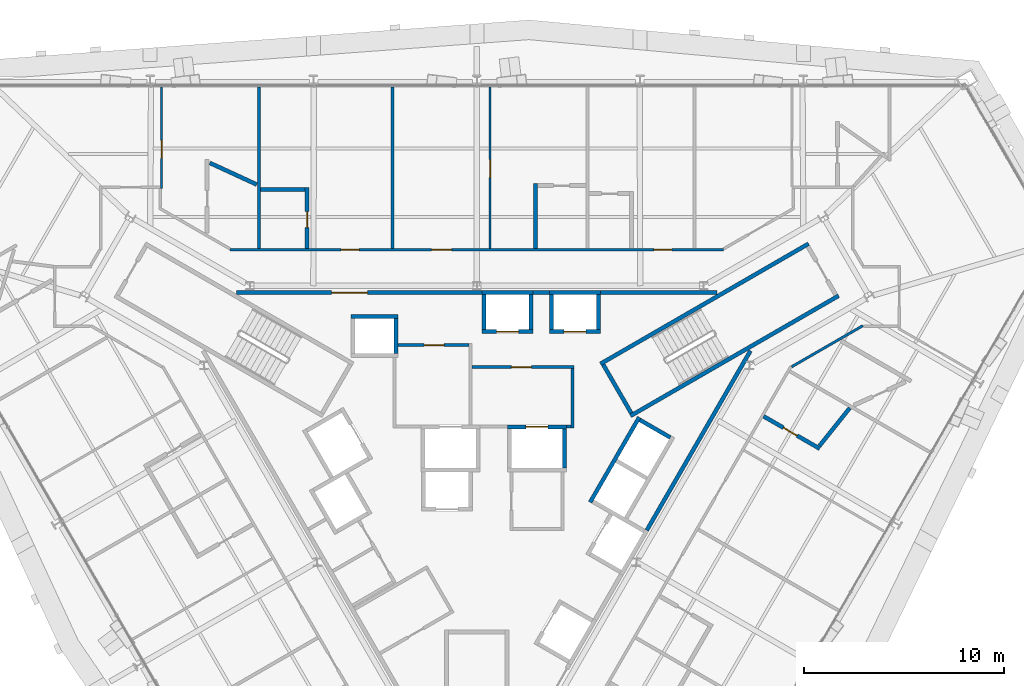
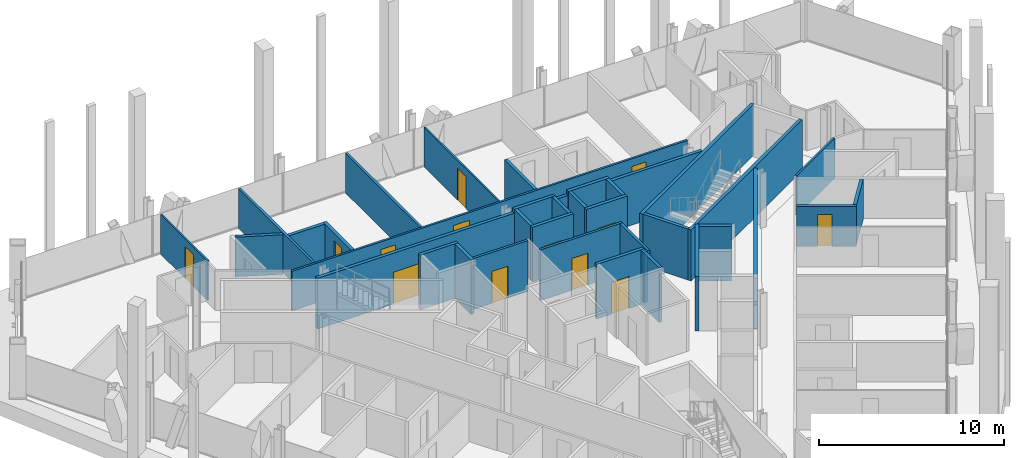
# One storey, part 16 of 19: 37 walls, 13 doors, 13 openings.
"""IFC4 building model written with IfcOpenShell, lengths in metres."""

from ifc_helpers import new_model, si_unit, direction, frame, frame_2d, origin, place, context, subcontext, project, spatial, rectangle, extrude, material, layer, layer_set, type_object, element, fill, save


model = new_model("IFC4")

# Units and contexts
model_context = context("Model", 3, precision=1e-05, world=origin(), true_north=direction((0.0, 1.0)))
body_context = subcontext(model_context, "Body", "Model", "MODEL_VIEW")
ifc_project = project(units=[si_unit("LENGTHUNIT", "METRE"), si_unit("AREAUNIT", "SQUARE_METRE"), si_unit("VOLUMEUNIT", "CUBIC_METRE"), si_unit("PLANEANGLEUNIT", "RADIAN"), si_unit("MASSUNIT", "GRAM", prefix="KILO")], contexts=[model_context])

# Site, building, storey
site_placement = place(None, origin())
site = spatial("IfcSite", under=ifc_project, at=site_placement, CompositionType="ELEMENT")
building_placement = place(site_placement, origin())
building = spatial("IfcBuilding", under=site, at=building_placement, Name="Verrane Prism Tower", CompositionType="ELEMENT")
storey_placement = place(building_placement, frame((0.0, 0.0, 121.60009765625)))
storey = spatial("IfcBuildingStorey", under=building, at=storey_placement, Name="L29", CompositionType="ELEMENT", Elevation=121.60009765625)

# Wall, opening, door
ifc_material_1 = material(Name="Gypsum board partition", Category="other")
ifc_layer_1 = layer(ifc_material_1, 0.199951171875)
ifc_layer_set_1 = layer_set([ifc_layer_1], Name="CW-200 core boundary wall 2 h")
wall_type_1 = type_object("IfcWallType", Name="CW-200 core boundary wall 2 h", PredefinedType="PARTITIONING", material=ifc_layer_set_1)
wall_1_placement = place(storey_placement, frame((0.262939453125, 8.860107421875, 0.0), z_axis=(0.0, 0.0, 1.0), x_axis=(-1.0, 0.0, 0.0)))
wall_1 = element("IfcWall", 1, at=wall_1_placement, inside=storey, type_object=wall_type_1, Name="Core boundary wall CW3-002", PredefinedType="PARTITIONING", context=body_context, shape_type="SweptSolid", body=[
    extrude(rectangle(XDim=12.25390625, YDim=0.199951171875, at=frame_2d((6.126953125, 0.0))), origin(), (0.0, 0.0, 1.0), 3.349853515625),
])
opening_1_placement = place(wall_1_placement, frame((5.708984375, 0.0, 0.0)))
opening_1 = element("IfcOpeningElement", 2, at=opening_1_placement, cuts=wall_1, Name="Opening D29511", PredefinedType="OPENING", context=body_context, shape_type="SweptSolid", body=[
    extrude(rectangle(XDim=1.800048828125, YDim=2.10009765625, at=frame_2d((0.89990234375, 1.050048828125))), frame((0.0, 0.10986328125, 0.0), z_axis=(0.0, -1.0, 0.0), x_axis=(1.0, 0.0, 0.0)), (0.0, 0.0, 1.0), 0.219970703125),
])
ifc_material_2 = material(Name="Timber veneered door leaf", Category="wood")
door_type_1 = type_object("IfcDoorType", Name="DR-1800x2100 FD60 double leaf lift lobby", OperationType="NOTDEFINED", PredefinedType="DOOR", material=ifc_material_2)
door_1_placement = place(opening_1_placement, origin())
door_1 = element("IfcDoor", 3, at=door_1_placement, inside=storey, type_object=door_type_1, Name="Lift lobby door D29511", OperationType="DOUBLE_DOOR_SINGLE_SWING", OverallHeight=2.10009765625, OverallWidth=1.800048828125, PredefinedType="DOOR", context=body_context, shape_type="SweptSolid", body=[
    extrude(rectangle(XDim=1.800048828125, YDim=2.10009765625, at=frame_2d((0.89990234375, 1.050048828125))), frame((0.0, 0.02490234375, 0.0), z_axis=(0.0, -1.0, 0.0), x_axis=(1.0, 0.0, 0.0)), (0.0, 0.0, 1.0), 0.050048828125),
])
fill(opening_1, door_1)

# Walls
wall_2_placement = place(storey_placement, frame((2.81689453125, 8.860107421875, 0.0), z_axis=(0.0, 0.0, 1.0), x_axis=(1.0, 0.0, 0.0)))
element("IfcWall", 4, at=wall_2_placement, inside=storey, type_object=wall_type_1, Name="Core boundary wall CW3-004", PredefinedType="PARTITIONING", context=body_context, shape_type="SweptSolid", body=[
    extrude(rectangle(XDim=0.80615234375, YDim=0.199951171875, at=frame_2d((0.403076171875, 0.0))), origin(), (0.0, 0.0, 1.0), 3.349853515625),
])
wall_3_placement = place(storey_placement, frame((6.177001953125, 8.860107421875, 0.0), z_axis=(0.0, 0.0, 1.0), x_axis=(1.0, 0.0, 0.0)))
element("IfcWall", 5, at=wall_3_placement, inside=storey, type_object=wall_type_1, Name="Core boundary wall CW3-006", PredefinedType="PARTITIONING", context=body_context, shape_type="SweptSolid", body=[
    extrude(rectangle(XDim=5.81396484375, YDim=0.199951171875, at=frame_2d((2.906982421875, 0.0))), origin(), (0.0, 0.0, 1.0), 3.349853515625),
])
wall_4_placement = place(storey_placement, frame((8.491943359375, -3.011962890625, 0.0), z_axis=(0.0, 0.0, 1.0), x_axis=(0.499972957231, 0.866041016371, 0.0)))
element("IfcWall", 6, at=wall_4_placement, inside=storey, type_object=wall_type_1, Name="Core boundary wall CW3-007", PredefinedType="PARTITIONING", context=body_context, shape_type="SweptSolid", body=[
    extrude(rectangle(XDim=10.3486328125, YDim=0.199951171875, at=frame_2d((5.17431640625, 0.0))), origin(), (0.0, 0.0, 1.0), 3.349853515625),
])
ifc_material_3 = material(Name="Concrete C40/50", Category="concrete")
ifc_layer_2 = layer(ifc_material_3, 0.199951171875)
ifc_layer_set_2 = layer_set([ifc_layer_2], Name="CW-200 stair core wall concrete C40/50 3 h")
wall_type_2 = type_object("IfcWallType", Name="CW-200 stair core wall concrete C40/50 3 h", PredefinedType="PARTITIONING", material=ifc_layer_set_2)
for number, where, z_axis, x_axis, name in (
    (7, (6.17822265625, 5.299072265625, 0.0), (0.0, 0.0, 1.0), (0.866026010844, 0.49999894854, 0.0), "Stair 1 enclosure wall"),
    (8, (7.67822265625, 2.700927734375, 0.0), (0.0, 0.0, 1.0), (0.866026010844, 0.49999894854, 0.0), "Stair 1 enclosure wall"),
):
    element("IfcWall", number, at=place(storey_placement, frame(where, z_axis=z_axis, x_axis=x_axis)), inside=storey, type_object=wall_type_2, Name=name, PredefinedType="PARTITIONING", context=body_context, shape_type="SweptSolid", body=[
        extrude(rectangle(XDim=12.0, YDim=0.199951171875, at=frame_2d((6.0, 0.0))), origin(), (0.0, 0.0, 1.0), 3.349853515625),
    ])
wall_5_placement = place(storey_placement, frame((7.71484375, 2.837646484375, 0.0), z_axis=(0.0, 0.0, 1.0), x_axis=(-0.500049511043, 0.865996816683, 0.0)))
element("IfcWall", 9, at=wall_5_placement, inside=storey, type_object=wall_type_2, Name="Stair 1 enclosure wall", PredefinedType="PARTITIONING", context=body_context, shape_type="SweptSolid", body=[
    extrude(rectangle(XDim=2.800048828125, YDim=0.199951171875, at=frame_2d((1.39990234375, 0.0))), origin(), (0.0, 0.0, 1.0), 3.349853515625),
])

# Wall, opening, door
ifc_material_4 = material(Name="Gypsum board shaft wall assembly", Category="other")
ifc_layer_3 = layer(ifc_material_4, 0.199951171875)
ifc_layer_set_3 = layer_set([ifc_layer_3], Name="HW-200 lift shaft wall 2 h")
wall_type_3 = type_object("IfcWallType", Name="HW-200 lift shaft wall 2 h", PredefinedType="PARTITIONING", material=ifc_layer_set_3)
wall_6_placement = place(storey_placement, frame((1.52490234375, 2.14990234375, 0.0), z_axis=(0.0, 0.0, 1.0), x_axis=(1.0, 0.0, 0.0)))
wall_6 = element("IfcWall", 10, at=wall_6_placement, inside=storey, type_object=wall_type_3, Name="Lift shaft wall", PredefinedType="PARTITIONING", context=body_context, shape_type="SweptSolid", body=[
    extrude(rectangle(XDim=2.9501953125, YDim=0.199951171875, at=frame_2d((1.47509765625, 0.0))), origin(), (0.0, 0.0, 1.0), 3.599853515625),
])
opening_2_placement = place(wall_6_placement, frame((0.925048828125, 0.0, 0.0)))
opening_2 = element("IfcOpeningElement", 11, at=opening_2_placement, cuts=wall_6, Name="Opening D29509", PredefinedType="OPENING", context=body_context, shape_type="SweptSolid", body=[
    extrude(rectangle(XDim=1.10009765625, YDim=2.10009765625, at=frame_2d((0.550048828125, 1.050048828125))), frame((0.0, 0.10986328125, 0.0), z_axis=(0.0, -1.0, 0.0), x_axis=(1.0, 0.0, 0.0)), (0.0, 0.0, 1.0), 0.219970703125),
])
ifc_material_5 = material(Name="Stainless steel sliding landing door", Category="steel")
door_type_2 = type_object("IfcDoorType", Name="LD-1100x2100 lift landing door FD90 sliding", OperationType="NOTDEFINED", PredefinedType="DOOR", material=ifc_material_5)
door_2_placement = place(opening_2_placement, origin())
door_2 = element("IfcDoor", 12, at=door_2_placement, inside=storey, type_object=door_type_2, Name="Fire service lift 2 landing door", OperationType="SLIDING_TO_RIGHT", OverallHeight=2.10009765625, OverallWidth=1.10009765625, PredefinedType="DOOR", context=body_context, shape_type="SweptSolid", body=[
    extrude(rectangle(XDim=1.10009765625, YDim=2.10009765625, at=frame_2d((0.550048828125, 1.050048828125))), frame((0.0, 0.02490234375, 0.0), z_axis=(0.0, -1.0, 0.0), x_axis=(1.0, 0.0, 0.0)), (0.0, 0.0, 1.0), 0.050048828125),
])
fill(opening_2, door_2)

wall_7_placement = place(storey_placement, frame((0.264892578125, 6.909912109375, 0.0), z_axis=(0.0, 0.0, 1.0), x_axis=(1.0, 0.0, 0.0)))
wall_7 = element("IfcWall", 13, at=wall_7_placement, inside=storey, type_object=wall_type_3, Name="Lift shaft wall", PredefinedType="PARTITIONING", context=body_context, shape_type="SweptSolid", body=[
    extrude(rectangle(XDim=2.550048828125, YDim=0.199951171875, at=frame_2d((1.27490234375, 0.0))), origin(), (0.0, 0.0, 1.0), 3.599853515625),
])
opening_3_placement = place(wall_7_placement, frame((0.72509765625, 0.0, 0.0)))
opening_3 = element("IfcOpeningElement", 14, at=opening_3_placement, cuts=wall_7, Name="Opening D29503", PredefinedType="OPENING", context=body_context, shape_type="SweptSolid", body=[
    extrude(rectangle(XDim=1.10009765625, YDim=2.10009765625, at=frame_2d((0.550048828125, 1.050048828125))), frame((0.0, 0.10986328125, 0.0), z_axis=(0.0, -1.0, 0.0), x_axis=(1.0, 0.0, 0.0)), (0.0, 0.0, 1.0), 0.219970703125),
])
door_3_placement = place(opening_3_placement, origin())
door_3 = element("IfcDoor", 15, at=door_3_placement, inside=storey, type_object=door_type_2, Name="Bank A lift 1 landing door", OperationType="SLIDING_TO_LEFT", OverallHeight=2.10009765625, OverallWidth=1.10009765625, PredefinedType="DOOR", context=body_context, shape_type="SweptSolid", body=[
    extrude(rectangle(XDim=1.10009765625, YDim=2.10009765625, at=frame_2d((0.550048828125, 1.050048828125))), frame((0.0, 0.02490234375, 0.0), z_axis=(0.0, -1.0, 0.0), x_axis=(1.0, 0.0, 0.0)), (0.0, 0.0, 1.0), 0.050048828125),
])
fill(opening_3, door_3)

wall_8_placement = place(storey_placement, frame((3.625, 6.909912109375, 0.0), z_axis=(0.0, 0.0, 1.0), x_axis=(1.0, 0.0, 0.0)))
wall_8 = element("IfcWall", 16, at=wall_8_placement, inside=storey, type_object=wall_type_3, Name="Lift shaft wall", PredefinedType="PARTITIONING", context=body_context, shape_type="SweptSolid", body=[
    extrude(rectangle(XDim=2.550048828125, YDim=0.199951171875, at=frame_2d((1.27490234375, 0.0))), origin(), (0.0, 0.0, 1.0), 3.599853515625),
])
opening_4_placement = place(wall_8_placement, frame((0.72509765625, 0.0, 0.0)))
opening_4 = element("IfcOpeningElement", 17, at=opening_4_placement, cuts=wall_8, Name="Opening D29505", PredefinedType="OPENING", context=body_context, shape_type="SweptSolid", body=[
    extrude(rectangle(XDim=1.10009765625, YDim=2.10009765625, at=frame_2d((0.550048828125, 1.050048828125))), frame((0.0, 0.10986328125, 0.0), z_axis=(0.0, -1.0, 0.0), x_axis=(1.0, 0.0, 0.0)), (0.0, 0.0, 1.0), 0.219970703125),
])
door_4_placement = place(opening_4_placement, origin())
door_4 = element("IfcDoor", 18, at=door_4_placement, inside=storey, type_object=door_type_2, Name="Bank A lift 3 landing door", OperationType="SLIDING_TO_LEFT", OverallHeight=2.10009765625, OverallWidth=1.10009765625, PredefinedType="DOOR", context=body_context, shape_type="SweptSolid", body=[
    extrude(rectangle(XDim=1.10009765625, YDim=2.10009765625, at=frame_2d((0.550048828125, 1.050048828125))), frame((0.0, 0.02490234375, 0.0), z_axis=(0.0, -1.0, 0.0), x_axis=(1.0, 0.0, 0.0)), (0.0, 0.0, 1.0), 0.050048828125),
])
fill(opening_4, door_4)

# Walls
wall_9_placement = place(storey_placement, frame((-6.284912109375, 7.659912109375, 0.0), z_axis=(0.0, 0.0, 1.0), x_axis=(1.0, 0.0, 0.0)))
element("IfcWall", 19, at=wall_9_placement, inside=storey, type_object=wall_type_3, Name="Lift shaft wall", PredefinedType="PARTITIONING", context=body_context, shape_type="SweptSolid", body=[
    extrude(rectangle(XDim=2.349853515625, YDim=0.199951171875, at=frame_2d((1.1748046875, 0.0))), origin(), (0.0, 0.0, 1.0), 3.599853515625),
])
for number, where, z_axis, x_axis, name in (
    (20, (0.264892578125, 8.860107421875, 0.0), (0.0, 0.0, 1.0), (1.0, 0.0, 0.0), "Lift shaft wall"),
    (21, (3.625, 8.860107421875, 0.0), (0.0, 0.0, 1.0), (1.0, 0.0, 0.0), "Lift shaft wall"),
):
    element("IfcWall", number, at=place(storey_placement, frame(where, z_axis=z_axis, x_axis=x_axis)), inside=storey, type_object=wall_type_3, Name=name, PredefinedType="PARTITIONING", context=body_context, shape_type="SweptSolid", body=[
        extrude(rectangle(XDim=2.550048828125, YDim=0.199951171875, at=frame_2d((1.27490234375, 0.0))), origin(), (0.0, 0.0, 1.0), 3.599853515625),
    ])
wall_10_placement = place(storey_placement, frame((5.66259765625, -1.6123046875, 0.0), z_axis=(0.0, 0.0, 1.0), x_axis=(0.49998122708, 0.866036242063, 0.0)))
element("IfcWall", 22, at=wall_10_placement, inside=storey, type_object=wall_type_3, Name="Lift shaft wall", PredefinedType="PARTITIONING", context=body_context, shape_type="SweptSolid", body=[
    extrude(rectangle(XDim=4.900146484375, YDim=0.199951171875, at=frame_2d((2.4501953125, 0.0))), origin(), (0.0, 0.0, 1.0), 3.599853515625),
])
wall_11_placement = place(storey_placement, frame((6.074951171875, 7.010009765625, 0.0), z_axis=(0.0, 0.0, 1.0), x_axis=(0.0, 1.0, 0.0)))
element("IfcWall", 23, at=wall_11_placement, inside=storey, type_object=wall_type_3, Name="Lift shaft wall", PredefinedType="PARTITIONING", context=body_context, shape_type="SweptSolid", body=[
    extrude(rectangle(XDim=1.75, YDim=0.199951171875, at=frame_2d((0.875, 0.0))), origin(), (0.0, 0.0, 1.0), 3.599853515625),
])
wall_12_placement = place(storey_placement, frame((4.375, 0.10009765625, 0.0), z_axis=(0.0, 0.0, 1.0), x_axis=(0.0, 1.0, 0.0)))
element("IfcWall", 24, at=wall_12_placement, inside=storey, type_object=wall_type_3, Name="Lift shaft wall", PredefinedType="PARTITIONING", context=body_context, shape_type="SweptSolid", body=[
    extrude(rectangle(XDim=1.949951171875, YDim=0.199951171875, at=frame_2d((0.97509765625, 0.0))), origin(), (0.0, 0.0, 1.0), 3.599853515625),
])
for number, where, z_axis, x_axis, name in (
    (25, (3.72509765625, 7.010009765625, 0.0), (0.0, 0.0, 1.0), (0.0, 1.0, 0.0), "Lift shaft wall"),
    (26, (2.715087890625, 7.010009765625, 0.0), (0.0, 0.0, 1.0), (0.0, 1.0, 0.0), "Lift shaft wall"),
    (27, (0.364990234375, 7.010009765625, 0.0), (0.0, 0.0, 1.0), (0.0, 1.0, 0.0), "Lift shaft wall"),
    (28, (-4.034912109375, 5.81005859375, 0.0), (0.0, 0.0, 1.0), (0.0, 1.0, 0.0), "Lift shaft wall"),
):
    element("IfcWall", number, at=place(storey_placement, frame(where, z_axis=z_axis, x_axis=x_axis)), inside=storey, type_object=wall_type_3, Name=name, PredefinedType="PARTITIONING", context=body_context, shape_type="SweptSolid", body=[
        extrude(rectangle(XDim=1.75, YDim=0.199951171875, at=frame_2d((0.875, 0.0))), origin(), (0.0, 0.0, 1.0), 3.599853515625),
    ])
wall_13_placement = place(storey_placement, frame((9.66455078125, 1.61962890625, 0.0), z_axis=(0.0, 0.0, 1.0), x_axis=(-0.866002029911, 0.500040482552, 0.0)))
element("IfcWall", 29, at=wall_13_placement, inside=storey, type_object=wall_type_3, Name="Lift shaft wall", PredefinedType="PARTITIONING", context=body_context, shape_type="SweptSolid", body=[
    extrude(rectangle(XDim=1.749755859375, YDim=0.199951171875, at=frame_2d((0.875, 0.0))), origin(), (0.0, 0.0, 1.0), 3.599853515625),
])

# Wall, opening, door
ifc_material_6 = material(Name="Gypsum board partition", Category="other")
ifc_layer_4 = layer(ifc_material_6, 0.14990234375)
ifc_layer_set_4 = layer_set([ifc_layer_4], Name="LF-150 firefighting lobby wall 1 h")
wall_type_4 = type_object("IfcWallType", Name="LF-150 firefighting lobby wall 1 h", PredefinedType="PARTITIONING", material=ifc_layer_set_4)
wall_14_placement = place(storey_placement, frame((-3.93310546875, 6.239990234375, 0.0), z_axis=(0.0, 0.0, 1.0), x_axis=(1.0, 0.0, 0.0)))
wall_14 = element("IfcWall", 30, at=wall_14_placement, inside=storey, type_object=wall_type_4, Name="Firefighting lobby wall LF1-003", PredefinedType="PARTITIONING", context=body_context, shape_type="SweptSolid", body=[
    extrude(rectangle(XDim=3.5380859375, YDim=0.14990234375, at=frame_2d((1.76904296875, 0.0))), origin(), (0.0, 0.0, 1.0), 3.349853515625),
])
opening_5_placement = place(wall_14_placement, frame((1.300048828125, 0.0, 0.0)))
opening_5 = element("IfcOpeningElement", 31, at=opening_5_placement, cuts=wall_14, Name="Opening D29515", PredefinedType="OPENING", context=body_context, shape_type="SweptSolid", body=[
    extrude(rectangle(XDim=1.0, YDim=2.10009765625, at=frame_2d((0.5, 1.050048828125))), frame((0.0, 0.0849609375, 0.0), z_axis=(0.0, -1.0, 0.0), x_axis=(1.0, 0.0, 0.0)), (0.0, 0.0, 1.0), 0.169921875),
])
ifc_material_7 = material(Name="Timber veneered door leaf", Category="wood")
door_type_3 = type_object("IfcDoorType", Name="DR-1000x2100 FD60 single leaf firefighting lobby", OperationType="NOTDEFINED", PredefinedType="DOOR", material=ifc_material_7)
door_5_placement = place(opening_5_placement, origin())
door_5 = element("IfcDoor", 32, at=door_5_placement, inside=storey, type_object=door_type_3, Name="Firefighting lobby door D29515", OperationType="SINGLE_SWING_LEFT", OverallHeight=2.10009765625, OverallWidth=1.0, PredefinedType="DOOR", context=body_context, shape_type="SweptSolid", body=[
    extrude(rectangle(XDim=1.0, YDim=2.10009765625, at=frame_2d((0.5, 1.050048828125))), frame((0.0, 0.02490234375, 0.0), z_axis=(0.0, -1.0, 0.0), x_axis=(1.0, 0.0, 0.0)), (0.0, 0.0, 1.0), 0.050048828125),
])
fill(opening_5, door_5)

wall_15_placement = place(storey_placement, frame((-0.2451171875, 5.139892578125, 0.0), z_axis=(0.0, 0.0, 1.0), x_axis=(1.0, 0.0, 0.0)))
wall_15 = element("IfcWall", 33, at=wall_15_placement, inside=storey, type_object=wall_type_4, Name="Firefighting lobby wall LF1-005", PredefinedType="PARTITIONING", context=body_context, shape_type="SweptSolid", body=[
    extrude(rectangle(XDim=5.110107421875, YDim=0.14990234375, at=frame_2d((2.55517578125, 0.0))), origin(), (0.0, 0.0, 1.0), 3.349853515625),
])
opening_6_placement = place(wall_15_placement, frame((1.97509765625, 0.0, 0.0)))
opening_6 = element("IfcOpeningElement", 34, at=opening_6_placement, cuts=wall_15, Name="Opening D29516", PredefinedType="OPENING", context=body_context, shape_type="SweptSolid", body=[
    extrude(rectangle(XDim=1.0, YDim=2.10009765625, at=frame_2d((0.5, 1.050048828125))), frame((0.0, 0.0849609375, 0.0), z_axis=(0.0, -1.0, 0.0), x_axis=(1.0, 0.0, 0.0)), (0.0, 0.0, 1.0), 0.169921875),
])
door_6_placement = place(opening_6_placement, origin())
door_6 = element("IfcDoor", 35, at=door_6_placement, inside=storey, type_object=door_type_3, Name="Firefighting lobby door D29516", OperationType="SINGLE_SWING_RIGHT", OverallHeight=2.10009765625, OverallWidth=1.0, PredefinedType="DOOR", context=body_context, shape_type="SweptSolid", body=[
    extrude(rectangle(XDim=1.0, YDim=2.10009765625, at=frame_2d((0.5, 1.050048828125))), frame((0.0, 0.02490234375, 0.0), z_axis=(0.0, -1.0, 0.0), x_axis=(1.0, 0.0, 0.0)), (0.0, 0.0, 1.0), 0.050048828125),
])
fill(opening_6, door_6)

# Walls
wall_16_placement = place(storey_placement, frame((4.47705078125, 2.159912109375, 0.0), z_axis=(0.0, 0.0, 1.0), x_axis=(1.0, 0.0, 0.0)))
element("IfcWall", 36, at=wall_16_placement, inside=storey, type_object=wall_type_4, Name="Firefighting lobby wall LF1-007", PredefinedType="PARTITIONING", context=body_context, shape_type="SweptSolid", body=[
    extrude(rectangle(XDim=0.238037109375, YDim=0.14990234375, at=frame_2d((0.119140625, 0.0))), origin(), (0.0, 0.0, 1.0), 3.349853515625),
])
wall_17_placement = place(storey_placement, frame((4.7900390625, 2.0849609375, 0.0), z_axis=(0.0, 0.0, 1.0), x_axis=(0.0, 1.0, 0.0)))
element("IfcWall", 37, at=wall_17_placement, inside=storey, type_object=wall_type_4, Name="Firefighting lobby wall LF1-008", PredefinedType="PARTITIONING", context=body_context, shape_type="SweptSolid", body=[
    extrude(rectangle(XDim=2.97998046875, YDim=0.14990234375, at=frame_2d((1.489990234375, 0.0))), origin(), (0.0, 0.0, 1.0), 3.349853515625),
])

# Wall, opening, door
ifc_material_8 = material(Name="Gypsum board partition", Category="other")
ifc_layer_5 = layer(ifc_material_8, 0.10009765625)
ifc_layer_set_5 = layer_set([ifc_layer_5], Name="PW-100 room partition")
wall_type_5 = type_object("IfcWallType", Name="PW-100 room partition", PredefinedType="PARTITIONING", material=ifc_layer_set_5)
wall_18_placement = place(storey_placement, frame((-15.740966796875, 19.114990234375, 0.0), z_axis=(0.0, 0.0, 1.0), x_axis=(0.0, -1.0, 0.0)))
wall_18 = element("IfcWall", 38, at=wall_18_placement, inside=storey, type_object=wall_type_5, Name="Room partition 020", PredefinedType="PARTITIONING", context=body_context, shape_type="SweptSolid", body=[
    extrude(rectangle(XDim=5.050048828125, YDim=0.10009765625, at=frame_2d((2.52490234375, 0.0))), origin(), (0.0, 0.0, 1.0), 2.61279296875),
])
opening_7_placement = place(wall_18_placement, frame((2.65087890625, 0.0, 0.0)))
opening_7 = element("IfcOpeningElement", 39, at=opening_7_placement, cuts=wall_18, Name="Opening D29012", PredefinedType="OPENING", context=body_context, shape_type="SweptSolid", body=[
    extrude(rectangle(XDim=0.89990234375, YDim=2.10009765625, at=frame_2d((0.449951171875, 1.050048828125))), frame((0.0, 0.06005859375, 0.0), z_axis=(0.0, -1.0, 0.0), x_axis=(1.0, 0.0, 0.0)), (0.0, 0.0, 1.0), 0.1201171875),
])
ifc_material_9 = material(Name="Timber veneered door leaf", Category="wood")
door_type_4 = type_object("IfcDoorType", Name="DR-900x2100 single leaf inner", OperationType="NOTDEFINED", PredefinedType="DOOR", material=ifc_material_9)
door_7_placement = place(opening_7_placement, origin())
door_7 = element("IfcDoor", 40, at=door_7_placement, inside=storey, type_object=door_type_4, Name="Suite Living Room door", OperationType="SINGLE_SWING_LEFT", OverallHeight=2.10009765625, OverallWidth=0.89990234375, PredefinedType="DOOR", context=body_context, shape_type="SweptSolid", body=[
    extrude(rectangle(XDim=0.89990234375, YDim=2.10009765625, at=frame_2d((0.449951171875, 1.050048828125))), frame((0.0, 0.02490234375, 0.0), z_axis=(0.0, -1.0, 0.0), x_axis=(1.0, 0.0, 0.0)), (0.0, 0.0, 1.0), 0.050048828125),
])
fill(opening_7, door_7)

wall_19_placement = place(storey_placement, frame((0.6669921875, 19.114990234375, 0.0), z_axis=(0.0, 0.0, 1.0), x_axis=(0.0, -1.0, 0.0)))
wall_19 = element("IfcWall", 41, at=wall_19_placement, inside=storey, type_object=wall_type_5, Name="Room partition 041", PredefinedType="PARTITIONING", context=body_context, shape_type="SweptSolid", body=[
    extrude(rectangle(XDim=8.052490234375, YDim=0.10009765625, at=frame_2d((4.0263671875, 0.0))), origin(), (0.0, 0.0, 1.0), 2.61279296875),
])
opening_8_placement = place(wall_19_placement, frame((3.614990234375, 0.0, 0.0)))
opening_8 = element("IfcOpeningElement", 42, at=opening_8_placement, cuts=wall_19, Name="Opening D29007", PredefinedType="OPENING", context=body_context, shape_type="SweptSolid", body=[
    extrude(rectangle(XDim=0.89990234375, YDim=2.10009765625, at=frame_2d((0.449951171875, 1.050048828125))), frame((0.0, 0.06005859375, 0.0), z_axis=(0.0, -1.0, 0.0), x_axis=(1.0, 0.0, 0.0)), (0.0, 0.0, 1.0), 0.1201171875),
])
door_8_placement = place(opening_8_placement, origin())
door_8 = element("IfcDoor", 43, at=door_8_placement, inside=storey, type_object=door_type_4, Name="Suite Living Room door", OperationType="SINGLE_SWING_RIGHT", OverallHeight=2.10009765625, OverallWidth=0.89990234375, PredefinedType="DOOR", context=body_context, shape_type="SweptSolid", body=[
    extrude(rectangle(XDim=0.89990234375, YDim=2.10009765625, at=frame_2d((0.449951171875, 1.050048828125))), frame((0.0, 0.02490234375, 0.0), z_axis=(0.0, -1.0, 0.0), x_axis=(1.0, 0.0, 0.0)), (0.0, 0.0, 1.0), 0.050048828125),
])
fill(opening_8, door_8)

# Wall, openings, doors
ifc_material_10 = material(Name="Gypsum board partition", Category="other")
ifc_layer_6 = layer(ifc_material_10, 0.125)
ifc_layer_set_6 = layer_set([ifc_layer_6], Name="PW-125 corridor wall 1 h")
wall_type_6 = type_object("IfcWallType", Name="PW-125 corridor wall 1 h", PredefinedType="PARTITIONING", material=ifc_layer_set_6)
wall_20_placement = place(storey_placement, frame((-12.3154296875, 11.0, 0.0), z_axis=(0.0, 0.0, 1.0), x_axis=(1.0, 0.0, 0.0)))
wall_20 = element("IfcWall", 44, at=wall_20_placement, inside=storey, type_object=wall_type_6, Name="Corridor wall 028", PredefinedType="PARTITIONING", context=body_context, shape_type="SweptSolid", body=[
    extrude(rectangle(XDim=24.630859375, YDim=0.125, at=frame_2d((12.3154296875, 0.0))), origin(), (0.0, 0.0, 1.0), 2.61279296875),
])
opening_9_placement = place(wall_20_placement, frame((21.153564453125, 0.0, 0.0)))
opening_9 = element("IfcOpeningElement", 45, at=opening_9_placement, cuts=wall_20, Name="Opening D29004", PredefinedType="OPENING", context=body_context, shape_type="SweptSolid", body=[
    extrude(rectangle(XDim=0.89990234375, YDim=2.10009765625, at=frame_2d((0.449951171875, 1.050048828125))), frame((0.0, 0.072509765625, 0.0), z_axis=(0.0, -1.0, 0.0), x_axis=(1.0, 0.0, 0.0)), (0.0, 0.0, 1.0), 0.14501953125),
])
opening_10_placement = place(wall_20_placement, frame((10.0615234375, 0.0, 0.0)))
opening_10 = element("IfcOpeningElement", 46, at=opening_10_placement, cuts=wall_20, Name="Opening D29006", PredefinedType="OPENING", context=body_context, shape_type="SweptSolid", body=[
    extrude(rectangle(XDim=1.0, YDim=2.10009765625, at=frame_2d((0.5, 1.050048828125))), frame((0.0, 0.072509765625, 0.0), z_axis=(0.0, -1.0, 0.0), x_axis=(1.0, 0.0, 0.0)), (0.0, 0.0, 1.0), 0.14501953125),
])
opening_11_placement = place(wall_20_placement, frame((5.54541015625, 0.0, 0.0)))
opening_11 = element("IfcOpeningElement", 47, at=opening_11_placement, cuts=wall_20, Name="Opening D29009", PredefinedType="OPENING", context=body_context, shape_type="SweptSolid", body=[
    extrude(rectangle(XDim=0.89990234375, YDim=2.10009765625, at=frame_2d((0.449951171875, 1.050048828125))), frame((0.0, 0.072509765625, 0.0), z_axis=(0.0, -1.0, 0.0), x_axis=(1.0, 0.0, 0.0)), (0.0, 0.0, 1.0), 0.14501953125),
])
ifc_material_11 = material(Name="Timber veneered door leaf", Category="wood")
door_type_5 = type_object("IfcDoorType", Name="DR-1000x2100 FD20 single leaf unit", OperationType="NOTDEFINED", PredefinedType="DOOR", material=ifc_material_11)
door_9_placement = place(opening_10_placement, origin())
door_9 = element("IfcDoor", 48, at=door_9_placement, inside=storey, type_object=door_type_5, Name="Suite Living Room door", OperationType="SINGLE_SWING_RIGHT", OverallHeight=2.10009765625, OverallWidth=1.0, PredefinedType="DOOR", context=body_context, shape_type="SweptSolid", body=[
    extrude(rectangle(XDim=1.0, YDim=2.10009765625, at=frame_2d((0.5, 1.050048828125))), frame((0.0, 0.02490234375, 0.0), z_axis=(0.0, -1.0, 0.0), x_axis=(1.0, 0.0, 0.0)), (0.0, 0.0, 1.0), 0.050048828125),
])
fill(opening_10, door_9)
ifc_material_12 = material(Name="Timber veneered door leaf", Category="wood")
door_type_6 = type_object("IfcDoorType", Name="DR-900x2100 FD20 single leaf unit", OperationType="NOTDEFINED", PredefinedType="DOOR", material=ifc_material_12)
door_10_placement = place(opening_9_placement, origin())
door_10 = element("IfcDoor", 49, at=door_10_placement, inside=storey, type_object=door_type_6, Name="Guest Room door", OperationType="SINGLE_SWING_RIGHT", OverallHeight=2.10009765625, OverallWidth=0.89990234375, PredefinedType="DOOR", context=body_context, shape_type="SweptSolid", body=[
    extrude(rectangle(XDim=0.89990234375, YDim=2.10009765625, at=frame_2d((0.449951171875, 1.050048828125))), frame((0.0, 0.02490234375, 0.0), z_axis=(0.0, -1.0, 0.0), x_axis=(1.0, 0.0, 0.0)), (0.0, 0.0, 1.0), 0.050048828125),
])
fill(opening_9, door_10)
door_11_placement = place(opening_11_placement, origin())
door_11 = element("IfcDoor", 50, at=door_11_placement, inside=storey, type_object=door_type_6, Name="Junior Suite door", OperationType="SINGLE_SWING_LEFT", OverallHeight=2.10009765625, OverallWidth=0.89990234375, PredefinedType="DOOR", context=body_context, shape_type="SweptSolid", body=[
    extrude(rectangle(XDim=0.89990234375, YDim=2.10009765625, at=frame_2d((0.449951171875, 1.050048828125))), frame((0.0, 0.02490234375, 0.0), z_axis=(0.0, -1.0, 0.0), x_axis=(1.0, 0.0, 0.0)), (0.0, 0.0, 1.0), 0.050048828125),
])
fill(opening_11, door_11)

# Walls
wall_21_placement = place(storey_placement, frame((15.7265625, 5.153564453125, 0.0), z_axis=(0.0, 0.0, 1.0), x_axis=(0.865992261418, 0.50005739987, 0.0)))
element("IfcWall", 51, at=wall_21_placement, inside=storey, type_object=wall_type_6, Name="Corridor wall 065", PredefinedType="PARTITIONING", context=body_context, shape_type="SweptSolid", body=[
    extrude(rectangle(XDim=4.10107421875, YDim=0.125, at=frame_2d((2.050537109375, 0.0))), origin(), (0.0, 0.0, 1.0), 2.61279296875),
])
ifc_material_13 = material(Name="Gypsum board partition", Category="other")
ifc_layer_7 = layer(ifc_material_13, 0.14990234375)
ifc_layer_set_7 = layer_set([ifc_layer_7], Name="PW-150 demising wall 1 h")
wall_type_7 = type_object("IfcWallType", Name="PW-150 demising wall 1 h", PredefinedType="PARTITIONING", material=ifc_layer_set_7)
for number, where, z_axis, x_axis, name in (
    (52, (-10.8701171875, 11.0625, 0.0), (0.0, 0.0, 1.0), (0.0, 1.0, 0.0), "Demising wall 029"),
    (53, (-4.2041015625, 11.0625, 0.0), (0.0, 0.0, 1.0), (0.0, 1.0, 0.0), "Demising wall 038"),
):
    element("IfcWall", number, at=place(storey_placement, frame(where, z_axis=z_axis, x_axis=x_axis)), inside=storey, type_object=wall_type_7, Name=name, PredefinedType="PARTITIONING", context=body_context, shape_type="SweptSolid", body=[
        extrude(rectangle(XDim=8.052490234375, YDim=0.14990234375, at=frame_2d((4.0263671875, 0.0))), origin(), (0.0, 0.0, 1.0), 2.61279296875),
    ])
ifc_material_14 = material(Name="Gypsum board partition", Category="other")
ifc_layer_8 = layer(ifc_material_14, 0.199951171875)
ifc_layer_set_8 = layer_set([ifc_layer_8], Name="PW-200 plumbing wall")
wall_type_8 = type_object("IfcWallType", Name="PW-200 plumbing wall", PredefinedType="PARTITIONING", material=ifc_layer_set_8)
wall_22_placement = place(storey_placement, frame((-13.329345703125, 15.333251953125, 0.0), z_axis=(0.0, 0.0, 1.0), x_axis=(0.908227929569, -0.418475839148, 0.0)))
element("IfcWall", 54, at=wall_22_placement, inside=storey, type_object=wall_type_8, Name="Plumbing wall 026", PredefinedType="PARTITIONING", context=body_context, shape_type="SweptSolid", body=[
    extrude(rectangle(XDim=2.579345703125, YDim=0.199951171875, at=frame_2d((1.28955078125, 0.0))), origin(), (0.0, 0.0, 1.0), 2.61279296875),
])
wall_23_placement = place(storey_placement, frame((-10.794921875, 14.0, 0.0), z_axis=(0.0, 0.0, 1.0), x_axis=(1.0, 0.0, 0.0)))
element("IfcWall", 55, at=wall_23_placement, inside=storey, type_object=wall_type_8, Name="Plumbing wall 030", PredefinedType="PARTITIONING", context=body_context, shape_type="SweptSolid", body=[
    extrude(rectangle(XDim=2.224853515625, YDim=0.199951171875, at=frame_2d((1.1123046875, 0.0))), origin(), (0.0, 0.0, 1.0), 2.61279296875),
])

# Wall, opening, door
wall_24_placement = place(storey_placement, frame((-8.469970703125, 11.0625, 0.0), z_axis=(0.0, 0.0, 1.0), x_axis=(0.0, 1.0, 0.0)))
wall_24 = element("IfcWall", 56, at=wall_24_placement, inside=storey, type_object=wall_type_8, Name="Plumbing wall 034", PredefinedType="PARTITIONING", context=body_context, shape_type="SweptSolid", body=[
    extrude(rectangle(XDim=3.03759765625, YDim=0.199951171875, at=frame_2d((1.518798828125, 0.0))), origin(), (0.0, 0.0, 1.0), 2.61279296875),
])
opening_12_placement = place(wall_24_placement, frame((1.03759765625, 0.0, 0.0)))
opening_12 = element("IfcOpeningElement", 57, at=opening_12_placement, cuts=wall_24, Name="Opening D29010", PredefinedType="OPENING", context=body_context, shape_type="SweptSolid", body=[
    extrude(rectangle(XDim=0.800048828125, YDim=2.10009765625, at=frame_2d((0.39990234375, 1.050048828125))), frame((0.0, 0.10986328125, 0.0), z_axis=(0.0, -1.0, 0.0), x_axis=(1.0, 0.0, 0.0)), (0.0, 0.0, 1.0), 0.219970703125),
])
ifc_material_15 = material(Name="Timber veneered door leaf", Category="wood")
door_type_7 = type_object("IfcDoorType", Name="DR-800x2100 single leaf bath", OperationType="NOTDEFINED", PredefinedType="DOOR", material=ifc_material_15)
door_12_placement = place(opening_12_placement, origin())
door_12 = element("IfcDoor", 58, at=door_12_placement, inside=storey, type_object=door_type_7, Name="En-Suite door", OperationType="SINGLE_SWING_RIGHT", OverallHeight=2.10009765625, OverallWidth=0.800048828125, PredefinedType="DOOR", context=body_context, shape_type="SweptSolid", body=[
    extrude(rectangle(XDim=0.800048828125, YDim=2.10009765625, at=frame_2d((0.39990234375, 1.050048828125))), frame((0.0, 0.02490234375, 0.0), z_axis=(0.0, -1.0, 0.0), x_axis=(1.0, 0.0, 0.0)), (0.0, 0.0, 1.0), 0.050048828125),
])
fill(opening_12, door_12)

# Wall
wall_25_placement = place(storey_placement, frame((2.93798828125, 11.0625, 0.0), z_axis=(0.0, 0.0, 1.0), x_axis=(0.0, 1.0, 0.0)))
element("IfcWall", 59, at=wall_25_placement, inside=storey, type_object=wall_type_8, Name="Plumbing wall 042", PredefinedType="PARTITIONING", context=body_context, shape_type="SweptSolid", body=[
    extrude(rectangle(XDim=3.237548828125, YDim=0.199951171875, at=frame_2d((1.61865234375, 0.0))), origin(), (0.0, 0.0, 1.0), 2.61279296875),
])

# Wall, opening, door
wall_26_placement = place(storey_placement, frame((14.326416015625, 2.68017578125, 0.0), z_axis=(0.0, 0.0, 1.0), x_axis=(0.86609757561, -0.499874973892, 0.0)))
wall_26 = element("IfcWall", 60, at=wall_26_placement, inside=storey, type_object=wall_type_8, Name="Plumbing wall 063", PredefinedType="PARTITIONING", context=body_context, shape_type="SweptSolid", body=[
    extrude(rectangle(XDim=3.233154296875, YDim=0.199951171875, at=frame_2d((1.61669921875, 0.0))), origin(), (0.0, 0.0, 1.0), 2.61279296875),
])
opening_13_placement = place(wall_26_placement, frame((1.132568359375, 0.0, 0.0)))
opening_13 = element("IfcOpeningElement", 61, at=opening_13_placement, cuts=wall_26, Name="Opening D29037", PredefinedType="OPENING", context=body_context, shape_type="SweptSolid", body=[
    extrude(rectangle(XDim=0.800048828125, YDim=2.10009765625, at=frame_2d((0.39990234375, 1.050048828125))), frame((0.0, 0.10986328125, 0.0), z_axis=(0.0, -1.0, 0.0), x_axis=(1.0, 0.0, 0.0)), (0.0, 0.0, 1.0), 0.219970703125),
])
door_13_placement = place(opening_13_placement, origin())
door_13 = element("IfcDoor", 62, at=door_13_placement, inside=storey, type_object=door_type_7, Name="En-Suite door", OperationType="SINGLE_SWING_LEFT", OverallHeight=2.10009765625, OverallWidth=0.800048828125, PredefinedType="DOOR", context=body_context, shape_type="SweptSolid", body=[
    extrude(rectangle(XDim=0.800048828125, YDim=2.10009765625, at=frame_2d((0.39990234375, 1.050048828125))), frame((0.0, 0.02490234375, 0.0), z_axis=(0.0, -1.0, 0.0), x_axis=(1.0, 0.0, 0.0)), (0.0, 0.0, 1.0), 0.050048828125),
])
fill(opening_13, door_13)

# Wall
wall_27_placement = place(storey_placement, frame((17.11181640625, 1.203857421875, 0.0), z_axis=(0.0, 0.0, 1.0), x_axis=(0.625309237246, 0.780377061307, 0.0)))
element("IfcWall", 63, at=wall_27_placement, inside=storey, type_object=wall_type_8, Name="Plumbing wall 069", PredefinedType="PARTITIONING", context=body_context, shape_type="SweptSolid", body=[
    extrude(rectangle(XDim=2.423095703125, YDim=0.199951171875, at=frame_2d((1.21142578125, 0.0))), origin(), (0.0, 0.0, 1.0), 2.61279296875),
])

save(model, "model.ifc")
